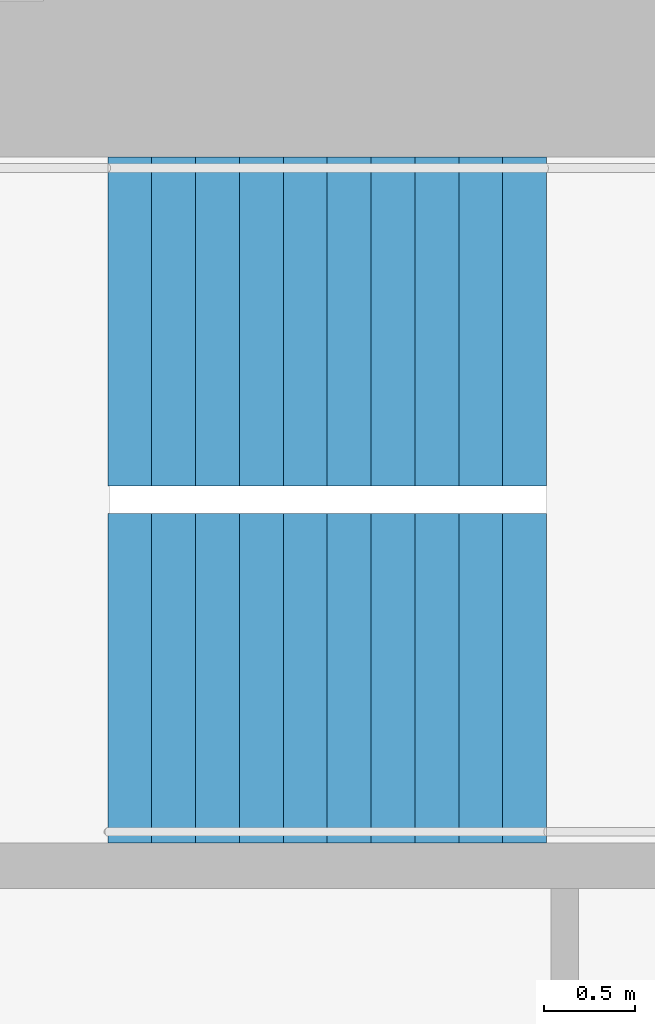
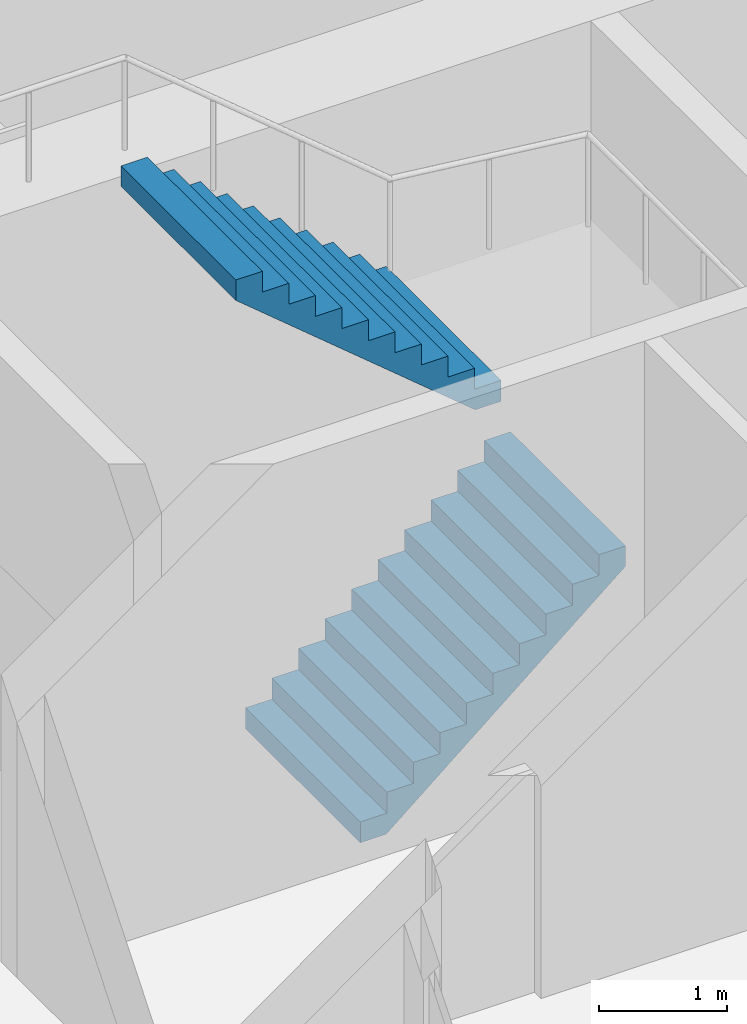
# One storey, part 29 of 33: 2 stair flights, 1 element without a shape of its own.
"""IFC4 building model written with IfcOpenShell, lengths in metres."""

from ifc_helpers import new_model, si_unit, direction, frame, origin, place, context, subcontext, project, spatial, triangles, material, type_object, element, aggregate, save


model = new_model("IFC4")

# Units and contexts
model_context = context("Model", 3, precision=1e-05, world=origin(), true_north=direction((0.0, 1.0)))
body_context = subcontext(model_context, "Body", "Model", "MODEL_VIEW")
ifc_project = project(units=[si_unit("LENGTHUNIT", "METRE"), si_unit("AREAUNIT", "SQUARE_METRE"), si_unit("VOLUMEUNIT", "CUBIC_METRE"), si_unit("PLANEANGLEUNIT", "RADIAN"), si_unit("MASSUNIT", "GRAM", prefix="KILO")], contexts=[model_context])

# Site, building, storey
site_placement = place(None, origin())
site = spatial("IfcSite", under=ifc_project, at=site_placement, CompositionType="ELEMENT")
building_placement = place(site_placement, origin())
building = spatial("IfcBuilding", under=site, at=building_placement, Name="Hakoniwa Tower and Hamabe Station Hall", CompositionType="ELEMENT")
storey_placement = place(building_placement, frame((0.0, 0.0, 175.800048828125)))
storey = spatial("IfcBuildingStorey", under=building, at=storey_placement, Name="L50", CompositionType="ELEMENT", Elevation=175.800048828125)

# Stair, stair flights
ifc_material_1 = material(Name="Concrete C40", Category="concrete")
stair_type = type_object("IfcStairType", Name="ESCAPE STAIR 1800", PredefinedType="HALF_TURN_STAIR", material=ifc_material_1)
stair_placement = place(storey_placement, origin())
stair = element("IfcStair", 1, at=stair_placement, inside=storey, type_object=stair_type, Name="Escape stair ST-1 L50", PredefinedType="HALF_TURN_STAIR")
ifc_material_2 = material(Name="Concrete C40", Category="concrete")
stair_flight_type = type_object("IfcStairFlightType", Name="STAIR FLIGHT 1800", PredefinedType="STRAIGHT", material=ifc_material_2)
stair_flight_1_placement = place(storey_placement, frame((-24.39990234375, 4.64990234375, 0.0), z_axis=(0.0, 0.0, 1.0), x_axis=(1.0, 0.0, 0.0)))
stair_flight_1 = element("IfcStairFlight", 2, at=stair_flight_1_placement, type_object=stair_flight_type, Name="ST-1 flight 1", NumberOfRisers=11, NumberOfTreads=10, PredefinedType="STRAIGHT", RiserHeight=0.2, TreadLength=0.24, context=body_context, shape_type="Tessellation", body=[
    triangles([(0.0, 0.89990234375, 0.0), (0.234130859375, 0.89990234375, 0.0), (0.239990234375, 0.89990234375, 0.0048828125), (0.47998046875, 0.89990234375, 0.204833984375), (0.719970703125, 0.89990234375, 0.40478515625), (0.9599609375, 0.89990234375, 0.60498046875), (1.199951171875, 0.89990234375, 0.804931640625), (1.43994140625, 0.89990234375, 1.0048828125), (1.679931640625, 0.89990234375, 1.204833984375), (1.919921875, 0.89990234375, 1.40478515625), (2.159912109375, 0.89990234375, 1.60498046875), (2.39990234375, 0.89990234375, 1.804931640625), (2.39990234375, 0.89990234375, 2.0), (2.159912109375, 0.89990234375, 2.0), (2.159912109375, 0.89990234375, 1.800048828125), (1.919921875, 0.89990234375, 1.800048828125), (1.919921875, 0.89990234375, 1.60009765625), (1.679931640625, 0.89990234375, 1.60009765625), (1.679931640625, 0.89990234375, 1.39990234375), (1.43994140625, 0.89990234375, 1.39990234375), (1.43994140625, 0.89990234375, 1.199951171875), (1.199951171875, 0.89990234375, 1.199951171875), (1.199951171875, 0.89990234375, 1.0), (0.9599609375, 0.89990234375, 1.0), (0.9599609375, 0.89990234375, 0.800048828125), (0.719970703125, 0.89990234375, 0.800048828125), (0.719970703125, 0.89990234375, 0.60009765625), (0.47998046875, 0.89990234375, 0.60009765625), (0.47998046875, 0.89990234375, 0.39990234375), (0.239990234375, 0.89990234375, 0.39990234375), (0.239990234375, 0.89990234375, 0.199951171875), (0.234130859375, 0.89990234375, 0.199951171875), (0.0, 0.89990234375, 0.199951171875), (0.0, 0.06005859375, 0.0), (0.234130859375, 0.06005859375, 0.0), (0.239990234375, 0.06005859375, 0.0048828125), (0.47998046875, 0.06005859375, 0.204833984375), (0.719970703125, 0.06005859375, 0.40478515625), (0.9599609375, 0.06005859375, 0.60498046875), (1.199951171875, 0.06005859375, 0.804931640625), (1.43994140625, 0.06005859375, 1.0048828125), (1.679931640625, 0.06005859375, 1.204833984375), (1.919921875, 0.06005859375, 1.40478515625), (2.159912109375, 0.06005859375, 1.60498046875), (2.39990234375, 0.06005859375, 1.804931640625), (2.39990234375, 0.06005859375, 2.0), (2.159912109375, 0.06005859375, 2.0), (2.159912109375, 0.06005859375, 1.800048828125), (1.919921875, 0.06005859375, 1.800048828125), (1.919921875, 0.06005859375, 1.60009765625), (1.679931640625, 0.06005859375, 1.60009765625), (1.679931640625, 0.06005859375, 1.39990234375), (1.43994140625, 0.06005859375, 1.39990234375), (1.43994140625, 0.06005859375, 1.199951171875), (1.199951171875, 0.06005859375, 1.199951171875), (1.199951171875, 0.06005859375, 1.0), (0.9599609375, 0.06005859375, 1.0), (0.9599609375, 0.06005859375, 0.800048828125), (0.719970703125, 0.06005859375, 0.800048828125), (0.719970703125, 0.06005859375, 0.60009765625), (0.47998046875, 0.06005859375, 0.60009765625), (0.47998046875, 0.06005859375, 0.39990234375), (0.239990234375, 0.06005859375, 0.39990234375), (0.239990234375, 0.06005859375, 0.199951171875), (0.234130859375, 0.06005859375, 0.199951171875), (0.0, 0.06005859375, 0.199951171875), (0.0, 0.02001953125, 0.0), (0.234130859375, 0.02001953125, 0.0), (0.239990234375, 0.02001953125, 0.0048828125), (0.47998046875, 0.02001953125, 0.204833984375), (0.719970703125, 0.02001953125, 0.40478515625), (0.9599609375, 0.02001953125, 0.60498046875), (1.199951171875, 0.02001953125, 0.804931640625), (1.43994140625, 0.02001953125, 1.0048828125), (1.679931640625, 0.02001953125, 1.204833984375), (1.919921875, 0.02001953125, 1.40478515625), (2.159912109375, 0.02001953125, 1.60498046875), (2.39990234375, 0.02001953125, 1.804931640625), (2.39990234375, 0.02001953125, 2.0), (2.159912109375, 0.02001953125, 2.0), (2.159912109375, 0.02001953125, 1.800048828125), (1.919921875, 0.02001953125, 1.800048828125), (1.919921875, 0.02001953125, 1.60009765625), (1.679931640625, 0.02001953125, 1.60009765625), (1.679931640625, 0.02001953125, 1.39990234375), (1.43994140625, 0.02001953125, 1.39990234375), (1.43994140625, 0.02001953125, 1.199951171875), (1.199951171875, 0.02001953125, 1.199951171875), (1.199951171875, 0.02001953125, 1.0), (0.9599609375, 0.02001953125, 1.0), (0.9599609375, 0.02001953125, 0.800048828125), (0.719970703125, 0.02001953125, 0.800048828125), (0.719970703125, 0.02001953125, 0.60009765625), (0.47998046875, 0.02001953125, 0.60009765625), (0.47998046875, 0.02001953125, 0.39990234375), (0.239990234375, 0.02001953125, 0.39990234375), (0.239990234375, 0.02001953125, 0.199951171875), (0.234130859375, 0.02001953125, 0.199951171875), (0.0, 0.02001953125, 0.199951171875), (0.0, -0.02001953125, 0.0), (0.234130859375, -0.02001953125, 0.0), (0.239990234375, -0.02001953125, 0.0048828125), (0.47998046875, -0.02001953125, 0.204833984375), (0.719970703125, -0.02001953125, 0.40478515625), (0.9599609375, -0.02001953125, 0.60498046875), (1.199951171875, -0.02001953125, 0.804931640625), (1.43994140625, -0.02001953125, 1.0048828125), (1.679931640625, -0.02001953125, 1.204833984375), (1.919921875, -0.02001953125, 1.40478515625), (2.159912109375, -0.02001953125, 1.60498046875), (2.39990234375, -0.02001953125, 1.804931640625), (2.39990234375, -0.02001953125, 2.0), (2.159912109375, -0.02001953125, 2.0), (2.159912109375, -0.02001953125, 1.800048828125), (1.919921875, -0.02001953125, 1.800048828125), (1.919921875, -0.02001953125, 1.60009765625), (1.679931640625, -0.02001953125, 1.60009765625), (1.679931640625, -0.02001953125, 1.39990234375), (1.43994140625, -0.02001953125, 1.39990234375), (1.43994140625, -0.02001953125, 1.199951171875), (1.199951171875, -0.02001953125, 1.199951171875), (1.199951171875, -0.02001953125, 1.0), (0.9599609375, -0.02001953125, 1.0), (0.9599609375, -0.02001953125, 0.800048828125), (0.719970703125, -0.02001953125, 0.800048828125), (0.719970703125, -0.02001953125, 0.60009765625), (0.47998046875, -0.02001953125, 0.60009765625), (0.47998046875, -0.02001953125, 0.39990234375), (0.239990234375, -0.02001953125, 0.39990234375), (0.239990234375, -0.02001953125, 0.199951171875), (0.234130859375, -0.02001953125, 0.199951171875), (0.0, -0.02001953125, 0.199951171875), (0.0, -0.06005859375, 0.0), (0.234130859375, -0.06005859375, 0.0), (0.239990234375, -0.06005859375, 0.0048828125), (0.47998046875, -0.06005859375, 0.204833984375), (0.719970703125, -0.06005859375, 0.40478515625), (0.9599609375, -0.06005859375, 0.60498046875), (1.199951171875, -0.06005859375, 0.804931640625), (1.43994140625, -0.06005859375, 1.0048828125), (1.679931640625, -0.06005859375, 1.204833984375), (1.919921875, -0.06005859375, 1.40478515625), (2.159912109375, -0.06005859375, 1.60498046875), (2.39990234375, -0.06005859375, 1.804931640625), (2.39990234375, -0.06005859375, 2.0), (2.159912109375, -0.06005859375, 2.0), (2.159912109375, -0.06005859375, 1.800048828125), (1.919921875, -0.06005859375, 1.800048828125), (1.919921875, -0.06005859375, 1.60009765625), (1.679931640625, -0.06005859375, 1.60009765625), (1.679931640625, -0.06005859375, 1.39990234375), (1.43994140625, -0.06005859375, 1.39990234375), (1.43994140625, -0.06005859375, 1.199951171875), (1.199951171875, -0.06005859375, 1.199951171875), (1.199951171875, -0.06005859375, 1.0), (0.9599609375, -0.06005859375, 1.0), (0.9599609375, -0.06005859375, 0.800048828125), (0.719970703125, -0.06005859375, 0.800048828125), (0.719970703125, -0.06005859375, 0.60009765625), (0.47998046875, -0.06005859375, 0.60009765625), (0.47998046875, -0.06005859375, 0.39990234375), (0.239990234375, -0.06005859375, 0.39990234375), (0.239990234375, -0.06005859375, 0.199951171875), (0.234130859375, -0.06005859375, 0.199951171875), (0.0, -0.06005859375, 0.199951171875), (0.0, -0.89990234375, 0.0), (0.234130859375, -0.89990234375, 0.0), (0.239990234375, -0.89990234375, 0.0048828125), (0.47998046875, -0.89990234375, 0.204833984375), (0.719970703125, -0.89990234375, 0.40478515625), (0.9599609375, -0.89990234375, 0.60498046875), (1.199951171875, -0.89990234375, 0.804931640625), (1.43994140625, -0.89990234375, 1.0048828125), (1.679931640625, -0.89990234375, 1.204833984375), (1.919921875, -0.89990234375, 1.40478515625), (2.159912109375, -0.89990234375, 1.60498046875), (2.39990234375, -0.89990234375, 1.804931640625), (2.39990234375, -0.89990234375, 2.0), (2.159912109375, -0.89990234375, 2.0), (2.159912109375, -0.89990234375, 1.800048828125), (1.919921875, -0.89990234375, 1.800048828125), (1.919921875, -0.89990234375, 1.60009765625), (1.679931640625, -0.89990234375, 1.60009765625), (1.679931640625, -0.89990234375, 1.39990234375), (1.43994140625, -0.89990234375, 1.39990234375), (1.43994140625, -0.89990234375, 1.199951171875), (1.199951171875, -0.89990234375, 1.199951171875), (1.199951171875, -0.89990234375, 1.0), (0.9599609375, -0.89990234375, 1.0), (0.9599609375, -0.89990234375, 0.800048828125), (0.719970703125, -0.89990234375, 0.800048828125), (0.719970703125, -0.89990234375, 0.60009765625), (0.47998046875, -0.89990234375, 0.60009765625), (0.47998046875, -0.89990234375, 0.39990234375), (0.239990234375, -0.89990234375, 0.39990234375), (0.239990234375, -0.89990234375, 0.199951171875), (0.234130859375, -0.89990234375, 0.199951171875), (0.0, -0.89990234375, 0.199951171875)], [[2, 33, 32], [167, 197, 198], [2, 1, 33], [167, 198, 166], [3, 32, 31], [168, 196, 197], [3, 2, 32], [168, 197, 167], [4, 30, 29], [169, 194, 195], [4, 31, 30], [169, 195, 196], [4, 3, 31], [169, 196, 168], [5, 28, 27], [170, 192, 193], [5, 29, 28], [170, 193, 194], [5, 4, 29], [170, 194, 169], [6, 26, 25], [171, 190, 191], [6, 27, 26], [171, 191, 192], [6, 5, 27], [171, 192, 170], [7, 24, 23], [172, 188, 189], [7, 25, 24], [172, 189, 190], [7, 6, 25], [172, 190, 171], [8, 22, 21], [173, 186, 187], [8, 23, 22], [173, 187, 188], [8, 7, 23], [173, 188, 172], [9, 20, 19], [174, 184, 185], [9, 21, 20], [174, 185, 186], [9, 8, 21], [174, 186, 173], [10, 18, 17], [175, 182, 183], [10, 19, 18], [175, 183, 184], [10, 9, 19], [175, 184, 174], [11, 16, 15], [176, 180, 181], [11, 17, 16], [176, 181, 182], [11, 10, 17], [176, 182, 175], [12, 14, 13], [177, 178, 179], [12, 15, 14], [177, 179, 180], [12, 11, 15], [177, 180, 176], [1, 2, 35], [1, 35, 34], [34, 35, 68], [34, 68, 67], [67, 68, 101], [67, 101, 100], [100, 101, 134], [100, 134, 133], [133, 134, 167], [133, 167, 166], [2, 3, 36], [2, 36, 35], [35, 36, 69], [35, 69, 68], [68, 69, 102], [68, 102, 101], [101, 102, 135], [101, 135, 134], [134, 135, 168], [134, 168, 167], [3, 4, 37], [3, 37, 36], [36, 37, 70], [36, 70, 69], [69, 70, 103], [69, 103, 102], [102, 103, 136], [102, 136, 135], [135, 136, 169], [135, 169, 168], [4, 5, 38], [4, 38, 37], [37, 38, 71], [37, 71, 70], [70, 71, 104], [70, 104, 103], [103, 104, 137], [103, 137, 136], [136, 137, 170], [136, 170, 169], [5, 6, 39], [5, 39, 38], [38, 39, 72], [38, 72, 71], [71, 72, 105], [71, 105, 104], [104, 105, 138], [104, 138, 137], [137, 138, 171], [137, 171, 170], [6, 7, 40], [6, 40, 39], [39, 40, 73], [39, 73, 72], [72, 73, 106], [72, 106, 105], [105, 106, 139], [105, 139, 138], [138, 139, 172], [138, 172, 171], [7, 8, 41], [7, 41, 40], [40, 41, 74], [40, 74, 73], [73, 74, 107], [73, 107, 106], [106, 107, 140], [106, 140, 139], [139, 140, 173], [139, 173, 172], [8, 9, 42], [8, 42, 41], [41, 42, 75], [41, 75, 74], [74, 75, 108], [74, 108, 107], [107, 108, 141], [107, 141, 140], [140, 141, 174], [140, 174, 173], [9, 10, 43], [9, 43, 42], [42, 43, 76], [42, 76, 75], [75, 76, 109], [75, 109, 108], [108, 109, 142], [108, 142, 141], [141, 142, 175], [141, 175, 174], [10, 11, 44], [10, 44, 43], [43, 44, 77], [43, 77, 76], [76, 77, 110], [76, 110, 109], [109, 110, 143], [109, 143, 142], [142, 143, 176], [142, 176, 175], [11, 12, 45], [11, 45, 44], [44, 45, 78], [44, 78, 77], [77, 78, 111], [77, 111, 110], [110, 111, 144], [110, 144, 143], [143, 144, 177], [143, 177, 176], [12, 13, 46], [12, 46, 45], [45, 46, 79], [45, 79, 78], [78, 79, 112], [78, 112, 111], [111, 112, 145], [111, 145, 144], [144, 145, 178], [144, 178, 177], [13, 14, 47], [13, 47, 46], [46, 47, 80], [46, 80, 79], [79, 80, 113], [79, 113, 112], [112, 113, 146], [112, 146, 145], [145, 146, 179], [145, 179, 178], [14, 15, 48], [14, 48, 47], [47, 48, 81], [47, 81, 80], [80, 81, 114], [80, 114, 113], [113, 114, 147], [113, 147, 146], [146, 147, 180], [146, 180, 179], [15, 16, 49], [15, 49, 48], [48, 49, 82], [48, 82, 81], [81, 82, 115], [81, 115, 114], [114, 115, 148], [114, 148, 147], [147, 148, 181], [147, 181, 180], [16, 17, 50], [16, 50, 49], [49, 50, 83], [49, 83, 82], [82, 83, 116], [82, 116, 115], [115, 116, 149], [115, 149, 148], [148, 149, 182], [148, 182, 181], [17, 18, 51], [17, 51, 50], [50, 51, 84], [50, 84, 83], [83, 84, 117], [83, 117, 116], [116, 117, 150], [116, 150, 149], [149, 150, 183], [149, 183, 182], [18, 19, 52], [18, 52, 51], [51, 52, 85], [51, 85, 84], [84, 85, 118], [84, 118, 117], [117, 118, 151], [117, 151, 150], [150, 151, 184], [150, 184, 183], [19, 20, 53], [19, 53, 52], [52, 53, 86], [52, 86, 85], [85, 86, 119], [85, 119, 118], [118, 119, 152], [118, 152, 151], [151, 152, 185], [151, 185, 184], [20, 21, 54], [20, 54, 53], [53, 54, 87], [53, 87, 86], [86, 87, 120], [86, 120, 119], [119, 120, 153], [119, 153, 152], [152, 153, 186], [152, 186, 185], [21, 22, 55], [21, 55, 54], [54, 55, 88], [54, 88, 87], [87, 88, 121], [87, 121, 120], [120, 121, 154], [120, 154, 153], [153, 154, 187], [153, 187, 186], [22, 23, 56], [22, 56, 55], [55, 56, 89], [55, 89, 88], [88, 89, 122], [88, 122, 121], [121, 122, 155], [121, 155, 154], [154, 155, 188], [154, 188, 187], [23, 24, 57], [23, 57, 56], [56, 57, 90], [56, 90, 89], [89, 90, 123], [89, 123, 122], [122, 123, 156], [122, 156, 155], [155, 156, 189], [155, 189, 188], [24, 25, 58], [24, 58, 57], [57, 58, 91], [57, 91, 90], [90, 91, 124], [90, 124, 123], [123, 124, 157], [123, 157, 156], [156, 157, 190], [156, 190, 189], [25, 26, 59], [25, 59, 58], [58, 59, 92], [58, 92, 91], [91, 92, 125], [91, 125, 124], [124, 125, 158], [124, 158, 157], [157, 158, 191], [157, 191, 190], [26, 27, 60], [26, 60, 59], [59, 60, 93], [59, 93, 92], [92, 93, 126], [92, 126, 125], [125, 126, 159], [125, 159, 158], [158, 159, 192], [158, 192, 191], [27, 28, 61], [27, 61, 60], [60, 61, 94], [60, 94, 93], [93, 94, 127], [93, 127, 126], [126, 127, 160], [126, 160, 159], [159, 160, 193], [159, 193, 192], [28, 29, 62], [28, 62, 61], [61, 62, 95], [61, 95, 94], [94, 95, 128], [94, 128, 127], [127, 128, 161], [127, 161, 160], [160, 161, 194], [160, 194, 193], [29, 30, 63], [29, 63, 62], [62, 63, 96], [62, 96, 95], [95, 96, 129], [95, 129, 128], [128, 129, 162], [128, 162, 161], [161, 162, 195], [161, 195, 194], [30, 31, 64], [30, 64, 63], [63, 64, 97], [63, 97, 96], [96, 97, 130], [96, 130, 129], [129, 130, 163], [129, 163, 162], [162, 163, 196], [162, 196, 195], [31, 32, 65], [31, 65, 64], [64, 65, 98], [64, 98, 97], [97, 98, 131], [97, 131, 130], [130, 131, 164], [130, 164, 163], [163, 164, 197], [163, 197, 196], [32, 33, 66], [32, 66, 65], [65, 66, 99], [65, 99, 98], [98, 99, 132], [98, 132, 131], [131, 132, 165], [131, 165, 164], [164, 165, 198], [164, 198, 197], [33, 1, 34], [33, 34, 66], [66, 34, 67], [66, 67, 99], [99, 67, 100], [99, 100, 132], [132, 100, 133], [132, 133, 165], [165, 133, 166], [165, 166, 198]], closed=True),
])
stair_flight_2_placement = place(storey_placement, frame((-22.0, 6.60009765625, 2.199951171875), z_axis=(0.0, 0.0, 1.0), x_axis=(-1.0, 0.0, 0.0)))
stair_flight_2 = element("IfcStairFlight", 3, at=stair_flight_2_placement, type_object=stair_flight_type, Name="ST-1 flight 2", NumberOfRisers=11, NumberOfTreads=10, PredefinedType="STRAIGHT", RiserHeight=0.2, TreadLength=0.24, context=body_context, shape_type="Tessellation", body=[
    triangles([(0.0, 0.89990234375, 0.0), (0.234130859375, 0.89990234375, 0.0), (0.239990234375, 0.89990234375, 0.0048828125), (0.47998046875, 0.89990234375, 0.204833984375), (0.719970703125, 0.89990234375, 0.40478515625), (0.9599609375, 0.89990234375, 0.60498046875), (1.199951171875, 0.89990234375, 0.804931640625), (1.43994140625, 0.89990234375, 1.0048828125), (1.679931640625, 0.89990234375, 1.204833984375), (1.919921875, 0.89990234375, 1.40478515625), (2.159912109375, 0.89990234375, 1.60498046875), (2.39990234375, 0.89990234375, 1.804931640625), (2.39990234375, 0.89990234375, 2.0), (2.159912109375, 0.89990234375, 2.0), (2.159912109375, 0.89990234375, 1.800048828125), (1.919921875, 0.89990234375, 1.800048828125), (1.919921875, 0.89990234375, 1.60009765625), (1.679931640625, 0.89990234375, 1.60009765625), (1.679931640625, 0.89990234375, 1.39990234375), (1.43994140625, 0.89990234375, 1.39990234375), (1.43994140625, 0.89990234375, 1.199951171875), (1.199951171875, 0.89990234375, 1.199951171875), (1.199951171875, 0.89990234375, 1.0), (0.9599609375, 0.89990234375, 1.0), (0.9599609375, 0.89990234375, 0.800048828125), (0.719970703125, 0.89990234375, 0.800048828125), (0.719970703125, 0.89990234375, 0.60009765625), (0.47998046875, 0.89990234375, 0.60009765625), (0.47998046875, 0.89990234375, 0.39990234375), (0.239990234375, 0.89990234375, 0.39990234375), (0.239990234375, 0.89990234375, 0.199951171875), (0.234130859375, 0.89990234375, 0.199951171875), (0.0, 0.89990234375, 0.199951171875), (0.0, 0.06005859375, 0.0), (0.234130859375, 0.06005859375, 0.0), (0.239990234375, 0.06005859375, 0.0048828125), (0.47998046875, 0.06005859375, 0.204833984375), (0.719970703125, 0.06005859375, 0.40478515625), (0.9599609375, 0.06005859375, 0.60498046875), (1.199951171875, 0.06005859375, 0.804931640625), (1.43994140625, 0.06005859375, 1.0048828125), (1.679931640625, 0.06005859375, 1.204833984375), (1.919921875, 0.06005859375, 1.40478515625), (2.159912109375, 0.06005859375, 1.60498046875), (2.39990234375, 0.06005859375, 1.804931640625), (2.39990234375, 0.06005859375, 2.0), (2.159912109375, 0.06005859375, 2.0), (2.159912109375, 0.06005859375, 1.800048828125), (1.919921875, 0.06005859375, 1.800048828125), (1.919921875, 0.06005859375, 1.60009765625), (1.679931640625, 0.06005859375, 1.60009765625), (1.679931640625, 0.06005859375, 1.39990234375), (1.43994140625, 0.06005859375, 1.39990234375), (1.43994140625, 0.06005859375, 1.199951171875), (1.199951171875, 0.06005859375, 1.199951171875), (1.199951171875, 0.06005859375, 1.0), (0.9599609375, 0.06005859375, 1.0), (0.9599609375, 0.06005859375, 0.800048828125), (0.719970703125, 0.06005859375, 0.800048828125), (0.719970703125, 0.06005859375, 0.60009765625), (0.47998046875, 0.06005859375, 0.60009765625), (0.47998046875, 0.06005859375, 0.39990234375), (0.239990234375, 0.06005859375, 0.39990234375), (0.239990234375, 0.06005859375, 0.199951171875), (0.234130859375, 0.06005859375, 0.199951171875), (0.0, 0.06005859375, 0.199951171875), (0.0, 0.02001953125, 0.0), (0.234130859375, 0.02001953125, 0.0), (0.239990234375, 0.02001953125, 0.0048828125), (0.47998046875, 0.02001953125, 0.204833984375), (0.719970703125, 0.02001953125, 0.40478515625), (0.9599609375, 0.02001953125, 0.60498046875), (1.199951171875, 0.02001953125, 0.804931640625), (1.43994140625, 0.02001953125, 1.0048828125), (1.679931640625, 0.02001953125, 1.204833984375), (1.919921875, 0.02001953125, 1.40478515625), (2.159912109375, 0.02001953125, 1.60498046875), (2.39990234375, 0.02001953125, 1.804931640625), (2.39990234375, 0.02001953125, 2.0), (2.159912109375, 0.02001953125, 2.0), (2.159912109375, 0.02001953125, 1.800048828125), (1.919921875, 0.02001953125, 1.800048828125), (1.919921875, 0.02001953125, 1.60009765625), (1.679931640625, 0.02001953125, 1.60009765625), (1.679931640625, 0.02001953125, 1.39990234375), (1.43994140625, 0.02001953125, 1.39990234375), (1.43994140625, 0.02001953125, 1.199951171875), (1.199951171875, 0.02001953125, 1.199951171875), (1.199951171875, 0.02001953125, 1.0), (0.9599609375, 0.02001953125, 1.0), (0.9599609375, 0.02001953125, 0.800048828125), (0.719970703125, 0.02001953125, 0.800048828125), (0.719970703125, 0.02001953125, 0.60009765625), (0.47998046875, 0.02001953125, 0.60009765625), (0.47998046875, 0.02001953125, 0.39990234375), (0.239990234375, 0.02001953125, 0.39990234375), (0.239990234375, 0.02001953125, 0.199951171875), (0.234130859375, 0.02001953125, 0.199951171875), (0.0, 0.02001953125, 0.199951171875), (0.0, -0.02001953125, 0.0), (0.234130859375, -0.02001953125, 0.0), (0.239990234375, -0.02001953125, 0.0048828125), (0.47998046875, -0.02001953125, 0.204833984375), (0.719970703125, -0.02001953125, 0.40478515625), (0.9599609375, -0.02001953125, 0.60498046875), (1.199951171875, -0.02001953125, 0.804931640625), (1.43994140625, -0.02001953125, 1.0048828125), (1.679931640625, -0.02001953125, 1.204833984375), (1.919921875, -0.02001953125, 1.40478515625), (2.159912109375, -0.02001953125, 1.60498046875), (2.39990234375, -0.02001953125, 1.804931640625), (2.39990234375, -0.02001953125, 2.0), (2.159912109375, -0.02001953125, 2.0), (2.159912109375, -0.02001953125, 1.800048828125), (1.919921875, -0.02001953125, 1.800048828125), (1.919921875, -0.02001953125, 1.60009765625), (1.679931640625, -0.02001953125, 1.60009765625), (1.679931640625, -0.02001953125, 1.39990234375), (1.43994140625, -0.02001953125, 1.39990234375), (1.43994140625, -0.02001953125, 1.199951171875), (1.199951171875, -0.02001953125, 1.199951171875), (1.199951171875, -0.02001953125, 1.0), (0.9599609375, -0.02001953125, 1.0), (0.9599609375, -0.02001953125, 0.800048828125), (0.719970703125, -0.02001953125, 0.800048828125), (0.719970703125, -0.02001953125, 0.60009765625), (0.47998046875, -0.02001953125, 0.60009765625), (0.47998046875, -0.02001953125, 0.39990234375), (0.239990234375, -0.02001953125, 0.39990234375), (0.239990234375, -0.02001953125, 0.199951171875), (0.234130859375, -0.02001953125, 0.199951171875), (0.0, -0.02001953125, 0.199951171875), (0.0, -0.06005859375, 0.0), (0.234130859375, -0.06005859375, 0.0), (0.239990234375, -0.06005859375, 0.0048828125), (0.47998046875, -0.06005859375, 0.204833984375), (0.719970703125, -0.06005859375, 0.40478515625), (0.9599609375, -0.06005859375, 0.60498046875), (1.199951171875, -0.06005859375, 0.804931640625), (1.43994140625, -0.06005859375, 1.0048828125), (1.679931640625, -0.06005859375, 1.204833984375), (1.919921875, -0.06005859375, 1.40478515625), (2.159912109375, -0.06005859375, 1.60498046875), (2.39990234375, -0.06005859375, 1.804931640625), (2.39990234375, -0.06005859375, 2.0), (2.159912109375, -0.06005859375, 2.0), (2.159912109375, -0.06005859375, 1.800048828125), (1.919921875, -0.06005859375, 1.800048828125), (1.919921875, -0.06005859375, 1.60009765625), (1.679931640625, -0.06005859375, 1.60009765625), (1.679931640625, -0.06005859375, 1.39990234375), (1.43994140625, -0.06005859375, 1.39990234375), (1.43994140625, -0.06005859375, 1.199951171875), (1.199951171875, -0.06005859375, 1.199951171875), (1.199951171875, -0.06005859375, 1.0), (0.9599609375, -0.06005859375, 1.0), (0.9599609375, -0.06005859375, 0.800048828125), (0.719970703125, -0.06005859375, 0.800048828125), (0.719970703125, -0.06005859375, 0.60009765625), (0.47998046875, -0.06005859375, 0.60009765625), (0.47998046875, -0.06005859375, 0.39990234375), (0.239990234375, -0.06005859375, 0.39990234375), (0.239990234375, -0.06005859375, 0.199951171875), (0.234130859375, -0.06005859375, 0.199951171875), (0.0, -0.06005859375, 0.199951171875), (0.0, -0.89990234375, 0.0), (0.234130859375, -0.89990234375, 0.0), (0.239990234375, -0.89990234375, 0.0048828125), (0.47998046875, -0.89990234375, 0.204833984375), (0.719970703125, -0.89990234375, 0.40478515625), (0.9599609375, -0.89990234375, 0.60498046875), (1.199951171875, -0.89990234375, 0.804931640625), (1.43994140625, -0.89990234375, 1.0048828125), (1.679931640625, -0.89990234375, 1.204833984375), (1.919921875, -0.89990234375, 1.40478515625), (2.159912109375, -0.89990234375, 1.60498046875), (2.39990234375, -0.89990234375, 1.804931640625), (2.39990234375, -0.89990234375, 2.0), (2.159912109375, -0.89990234375, 2.0), (2.159912109375, -0.89990234375, 1.800048828125), (1.919921875, -0.89990234375, 1.800048828125), (1.919921875, -0.89990234375, 1.60009765625), (1.679931640625, -0.89990234375, 1.60009765625), (1.679931640625, -0.89990234375, 1.39990234375), (1.43994140625, -0.89990234375, 1.39990234375), (1.43994140625, -0.89990234375, 1.199951171875), (1.199951171875, -0.89990234375, 1.199951171875), (1.199951171875, -0.89990234375, 1.0), (0.9599609375, -0.89990234375, 1.0), (0.9599609375, -0.89990234375, 0.800048828125), (0.719970703125, -0.89990234375, 0.800048828125), (0.719970703125, -0.89990234375, 0.60009765625), (0.47998046875, -0.89990234375, 0.60009765625), (0.47998046875, -0.89990234375, 0.39990234375), (0.239990234375, -0.89990234375, 0.39990234375), (0.239990234375, -0.89990234375, 0.199951171875), (0.234130859375, -0.89990234375, 0.199951171875), (0.0, -0.89990234375, 0.199951171875)], [[2, 33, 32], [167, 197, 198], [2, 1, 33], [167, 198, 166], [3, 32, 31], [168, 196, 197], [3, 2, 32], [168, 197, 167], [4, 30, 29], [169, 194, 195], [4, 31, 30], [169, 195, 196], [4, 3, 31], [169, 196, 168], [5, 28, 27], [170, 192, 193], [5, 29, 28], [170, 193, 194], [5, 4, 29], [170, 194, 169], [6, 26, 25], [171, 190, 191], [6, 27, 26], [171, 191, 192], [6, 5, 27], [171, 192, 170], [7, 24, 23], [172, 188, 189], [7, 25, 24], [172, 189, 190], [7, 6, 25], [172, 190, 171], [8, 22, 21], [173, 186, 187], [8, 23, 22], [173, 187, 188], [8, 7, 23], [173, 188, 172], [9, 20, 19], [174, 184, 185], [9, 21, 20], [174, 185, 186], [9, 8, 21], [174, 186, 173], [10, 18, 17], [175, 182, 183], [10, 19, 18], [175, 183, 184], [10, 9, 19], [175, 184, 174], [11, 16, 15], [176, 180, 181], [11, 17, 16], [176, 181, 182], [11, 10, 17], [176, 182, 175], [12, 14, 13], [177, 178, 179], [12, 15, 14], [177, 179, 180], [12, 11, 15], [177, 180, 176], [1, 2, 35], [1, 35, 34], [34, 35, 68], [34, 68, 67], [67, 68, 101], [67, 101, 100], [100, 101, 134], [100, 134, 133], [133, 134, 167], [133, 167, 166], [2, 3, 36], [2, 36, 35], [35, 36, 69], [35, 69, 68], [68, 69, 102], [68, 102, 101], [101, 102, 135], [101, 135, 134], [134, 135, 168], [134, 168, 167], [3, 4, 37], [3, 37, 36], [36, 37, 70], [36, 70, 69], [69, 70, 103], [69, 103, 102], [102, 103, 136], [102, 136, 135], [135, 136, 169], [135, 169, 168], [4, 5, 38], [4, 38, 37], [37, 38, 71], [37, 71, 70], [70, 71, 104], [70, 104, 103], [103, 104, 137], [103, 137, 136], [136, 137, 170], [136, 170, 169], [5, 6, 39], [5, 39, 38], [38, 39, 72], [38, 72, 71], [71, 72, 105], [71, 105, 104], [104, 105, 138], [104, 138, 137], [137, 138, 171], [137, 171, 170], [6, 7, 40], [6, 40, 39], [39, 40, 73], [39, 73, 72], [72, 73, 106], [72, 106, 105], [105, 106, 139], [105, 139, 138], [138, 139, 172], [138, 172, 171], [7, 8, 41], [7, 41, 40], [40, 41, 74], [40, 74, 73], [73, 74, 107], [73, 107, 106], [106, 107, 140], [106, 140, 139], [139, 140, 173], [139, 173, 172], [8, 9, 42], [8, 42, 41], [41, 42, 75], [41, 75, 74], [74, 75, 108], [74, 108, 107], [107, 108, 141], [107, 141, 140], [140, 141, 174], [140, 174, 173], [9, 10, 43], [9, 43, 42], [42, 43, 76], [42, 76, 75], [75, 76, 109], [75, 109, 108], [108, 109, 142], [108, 142, 141], [141, 142, 175], [141, 175, 174], [10, 11, 44], [10, 44, 43], [43, 44, 77], [43, 77, 76], [76, 77, 110], [76, 110, 109], [109, 110, 143], [109, 143, 142], [142, 143, 176], [142, 176, 175], [11, 12, 45], [11, 45, 44], [44, 45, 78], [44, 78, 77], [77, 78, 111], [77, 111, 110], [110, 111, 144], [110, 144, 143], [143, 144, 177], [143, 177, 176], [12, 13, 46], [12, 46, 45], [45, 46, 79], [45, 79, 78], [78, 79, 112], [78, 112, 111], [111, 112, 145], [111, 145, 144], [144, 145, 178], [144, 178, 177], [13, 14, 47], [13, 47, 46], [46, 47, 80], [46, 80, 79], [79, 80, 113], [79, 113, 112], [112, 113, 146], [112, 146, 145], [145, 146, 179], [145, 179, 178], [14, 15, 48], [14, 48, 47], [47, 48, 81], [47, 81, 80], [80, 81, 114], [80, 114, 113], [113, 114, 147], [113, 147, 146], [146, 147, 180], [146, 180, 179], [15, 16, 49], [15, 49, 48], [48, 49, 82], [48, 82, 81], [81, 82, 115], [81, 115, 114], [114, 115, 148], [114, 148, 147], [147, 148, 181], [147, 181, 180], [16, 17, 50], [16, 50, 49], [49, 50, 83], [49, 83, 82], [82, 83, 116], [82, 116, 115], [115, 116, 149], [115, 149, 148], [148, 149, 182], [148, 182, 181], [17, 18, 51], [17, 51, 50], [50, 51, 84], [50, 84, 83], [83, 84, 117], [83, 117, 116], [116, 117, 150], [116, 150, 149], [149, 150, 183], [149, 183, 182], [18, 19, 52], [18, 52, 51], [51, 52, 85], [51, 85, 84], [84, 85, 118], [84, 118, 117], [117, 118, 151], [117, 151, 150], [150, 151, 184], [150, 184, 183], [19, 20, 53], [19, 53, 52], [52, 53, 86], [52, 86, 85], [85, 86, 119], [85, 119, 118], [118, 119, 152], [118, 152, 151], [151, 152, 185], [151, 185, 184], [20, 21, 54], [20, 54, 53], [53, 54, 87], [53, 87, 86], [86, 87, 120], [86, 120, 119], [119, 120, 153], [119, 153, 152], [152, 153, 186], [152, 186, 185], [21, 22, 55], [21, 55, 54], [54, 55, 88], [54, 88, 87], [87, 88, 121], [87, 121, 120], [120, 121, 154], [120, 154, 153], [153, 154, 187], [153, 187, 186], [22, 23, 56], [22, 56, 55], [55, 56, 89], [55, 89, 88], [88, 89, 122], [88, 122, 121], [121, 122, 155], [121, 155, 154], [154, 155, 188], [154, 188, 187], [23, 24, 57], [23, 57, 56], [56, 57, 90], [56, 90, 89], [89, 90, 123], [89, 123, 122], [122, 123, 156], [122, 156, 155], [155, 156, 189], [155, 189, 188], [24, 25, 58], [24, 58, 57], [57, 58, 91], [57, 91, 90], [90, 91, 124], [90, 124, 123], [123, 124, 157], [123, 157, 156], [156, 157, 190], [156, 190, 189], [25, 26, 59], [25, 59, 58], [58, 59, 92], [58, 92, 91], [91, 92, 125], [91, 125, 124], [124, 125, 158], [124, 158, 157], [157, 158, 191], [157, 191, 190], [26, 27, 60], [26, 60, 59], [59, 60, 93], [59, 93, 92], [92, 93, 126], [92, 126, 125], [125, 126, 159], [125, 159, 158], [158, 159, 192], [158, 192, 191], [27, 28, 61], [27, 61, 60], [60, 61, 94], [60, 94, 93], [93, 94, 127], [93, 127, 126], [126, 127, 160], [126, 160, 159], [159, 160, 193], [159, 193, 192], [28, 29, 62], [28, 62, 61], [61, 62, 95], [61, 95, 94], [94, 95, 128], [94, 128, 127], [127, 128, 161], [127, 161, 160], [160, 161, 194], [160, 194, 193], [29, 30, 63], [29, 63, 62], [62, 63, 96], [62, 96, 95], [95, 96, 129], [95, 129, 128], [128, 129, 162], [128, 162, 161], [161, 162, 195], [161, 195, 194], [30, 31, 64], [30, 64, 63], [63, 64, 97], [63, 97, 96], [96, 97, 130], [96, 130, 129], [129, 130, 163], [129, 163, 162], [162, 163, 196], [162, 196, 195], [31, 32, 65], [31, 65, 64], [64, 65, 98], [64, 98, 97], [97, 98, 131], [97, 131, 130], [130, 131, 164], [130, 164, 163], [163, 164, 197], [163, 197, 196], [32, 33, 66], [32, 66, 65], [65, 66, 99], [65, 99, 98], [98, 99, 132], [98, 132, 131], [131, 132, 165], [131, 165, 164], [164, 165, 198], [164, 198, 197], [33, 1, 34], [33, 34, 66], [66, 34, 67], [66, 67, 99], [99, 67, 100], [99, 100, 132], [132, 100, 133], [132, 133, 165], [165, 133, 166], [165, 166, 198]], closed=True),
])
aggregate(stair, [stair_flight_1, stair_flight_2])

save(model, "model.ifc")
